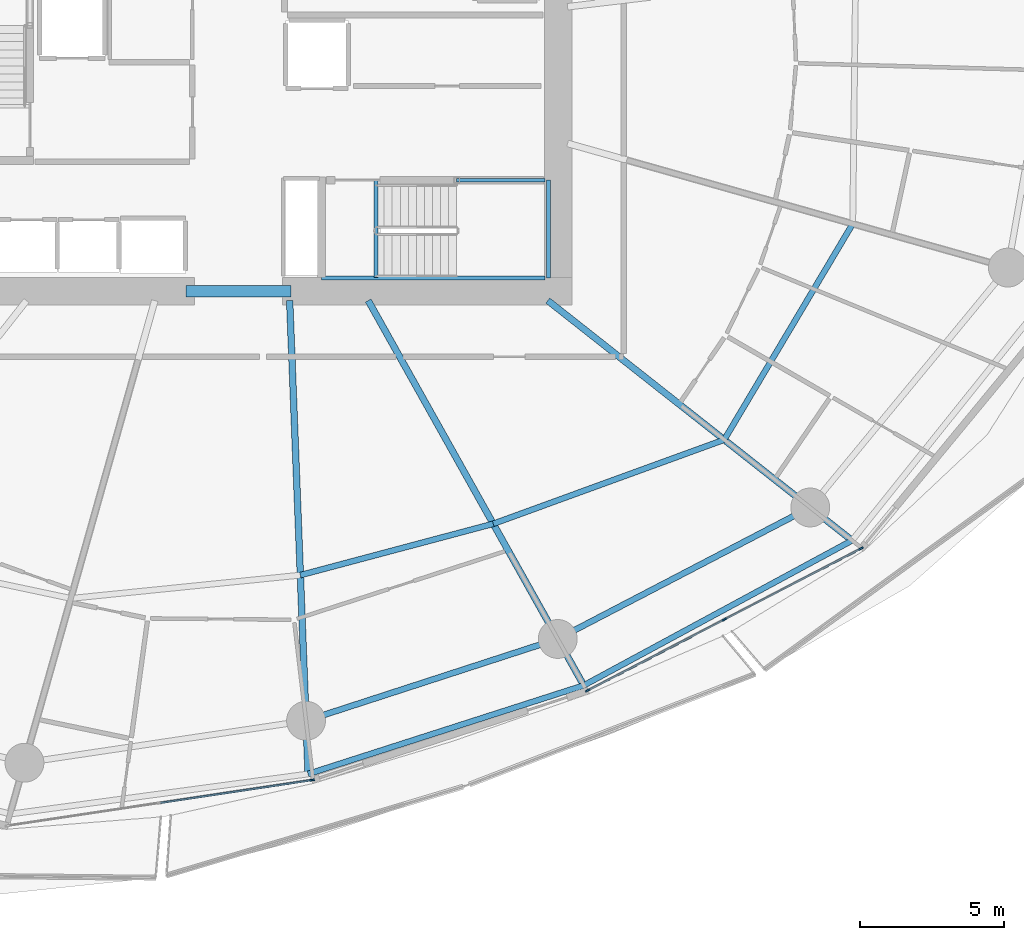
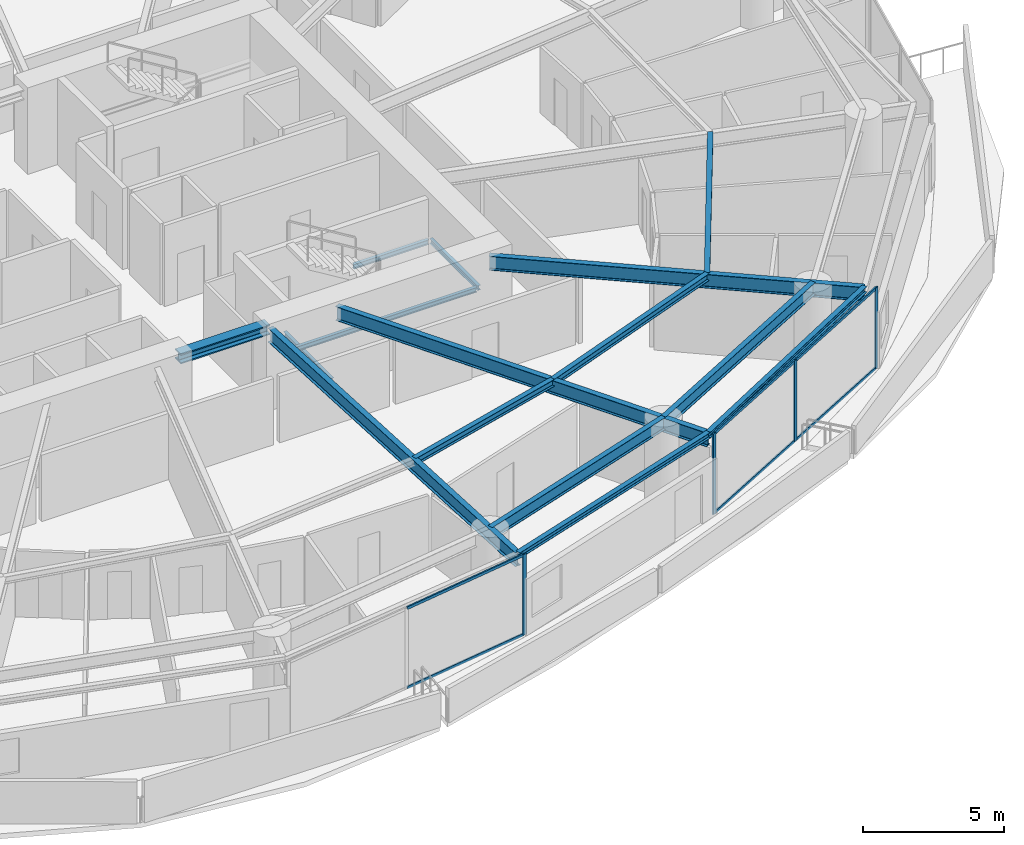
# One storey, part 10 of 30: 15 beams, 10 members, 2 elements without a shape of their own.
"""IFC4 building model written with IfcOpenShell, lengths in metres."""

import ifcopenshell
import ifcopenshell.guid

model = None  # the IFC model being written
_history = None  # IfcOwnerHistory: only IFC2X3 demands one
_inside = {}  # id of a spatial element -> (the spatial element, [elements in it])
_under = {}  # id of a project, library or spatial element -> (it, [spatial elements below it])
_declared = {}  # id of a project -> (the project, [libraries it declares])
_typed = {}  # id of a type object -> (the type object, [elements of that type])
_made_of = {}  # id of a material, layer set ... -> (it, [elements and type objects made of it])


def new_model(schema):
    """Start an empty IFC model of exactly this schema.

    Asked for "IFC4X3", IfcOpenShell would pick the latest addendum, in which some entities
    have other attributes; the version numbers below select the first issue.
    IFC2X3 requires an IfcOwnerHistory on every rooted entity: one is made here for all.
    """
    global model, _history
    if schema == "IFC4X3":
        model = ifcopenshell.file(schema_version=(4, 3, 0, 0))
    else:
        model = ifcopenshell.file(schema=schema)
    _inside.clear()
    _under.clear()
    _declared.clear()
    _typed.clear()
    _made_of.clear()
    _history = None
    if model.schema == "IFC2X3":
        org = make("IfcOrganization", Name="unknown")
        user = make(
            "IfcPersonAndOrganization",
            ThePerson=make("IfcPerson", FamilyName="unknown"),
            TheOrganization=org,
        )
        app = make(
            "IfcApplication",
            ApplicationDeveloper=org,
            Version="unknown",
            ApplicationFullName="unknown",
            ApplicationIdentifier="unknown",
        )
        _history = make(
            "IfcOwnerHistory",
            OwningUser=user,
            OwningApplication=app,
            ChangeAction="ADDED",
            CreationDate=0,
        )
    return model


def make(cls, **values):
    """One entity of the class cls with the attributes given. An attribute that is None is left unset."""
    return model.create_entity(
        cls, **{name: value for name, value in values.items() if value is not None}
    )


def rooted(cls, **values):
    """An entity with a GlobalId (a new one), such as an element, a storey or a relation."""
    return make(cls, GlobalId=ifcopenshell.guid.new(), OwnerHistory=_history, **values)


def si_unit(unit_type, name, prefix=None):
    """IfcSIUnit, for example si_unit("LENGTHUNIT", "METRE", prefix="MILLI")."""
    return make("IfcSIUnit", UnitType=unit_type, Prefix=prefix, Name=name)


def assignment(units):
    """IfcUnitAssignment: the units of a project."""
    return None if units is None else make("IfcUnitAssignment", Units=units)


def point(xyz):
    """IfcCartesianPoint."""
    return None if xyz is None else make("IfcCartesianPoint", Coordinates=xyz)


def direction(xyz):
    """IfcDirection."""
    return None if xyz is None else make("IfcDirection", DirectionRatios=xyz)


def frame(location, z_axis=None, x_axis=None):
    """IfcAxis2Placement3D, a coordinate frame: its origin and axes. An axis left out is left unset."""
    return make(
        "IfcAxis2Placement3D",
        Location=point(location),
        Axis=direction(z_axis),
        RefDirection=direction(x_axis),
    )


def frame_2d(location, x_axis=None):
    """IfcAxis2Placement2D, a coordinate frame in the plane: its origin and x axis."""
    return make(
        "IfcAxis2Placement2D", Location=point(location), RefDirection=direction(x_axis)
    )


def origin():
    """The frame at (0, 0, 0) with its axes left unset."""
    return frame((0.0, 0.0, 0.0))


def origin_2d():
    """The frame at (0, 0) in the plane with its x axis left unset."""
    return frame_2d((0.0, 0.0))


def place(relative_to, where):
    """IfcLocalPlacement: puts the frame where relative to a parent placement (None: the world)."""
    return make(
        "IfcLocalPlacement", PlacementRelTo=relative_to, RelativePlacement=where
    )


def context(
    kind, dimensions, precision=None, world=None, true_north=None, identifier=None
):
    """IfcGeometricRepresentationContext, for example the 3D "Model" context."""
    return make(
        "IfcGeometricRepresentationContext",
        ContextIdentifier=identifier,
        ContextType=kind,
        CoordinateSpaceDimension=dimensions,
        Precision=precision,
        WorldCoordinateSystem=world,
        TrueNorth=true_north,
    )


def subcontext(parent, identifier, kind, view, scale=None):
    """IfcGeometricRepresentationSubContext, for example "Body" below "Model"."""
    return make(
        "IfcGeometricRepresentationSubContext",
        ContextIdentifier=identifier,
        ContextType=kind,
        ParentContext=parent,
        TargetScale=scale,
        TargetView=view,
    )


def project(units=None, contexts=None):
    """IfcProject with its units and contexts."""
    return rooted(
        "IfcProject",
        Name="project",
        RepresentationContexts=contexts,
        UnitsInContext=assignment(units),
    )


def spatial(cls, under=None, at=None, **own):
    """A site, building, storey or space (cls), placed at a placement, below another one or the project."""
    s = rooted(cls, ObjectPlacement=at, **own)
    if under is not None:
        _under.setdefault(under.id(), (under, []))[1].append(s)
    return s


def profile(cls, at=None, kind="AREA", **sizes):
    """A parametric profile (cls). Its sizes go by their IFC names, for example OverallWidth=200.0."""
    return make(cls, ProfileType=kind, Position=at, **sizes)


def rectangle(**sizes):
    """IfcRectangleProfileDef."""
    return profile("IfcRectangleProfileDef", **sizes)


def i_section(**sizes):
    """IfcIShapeProfileDef."""
    return profile("IfcIShapeProfileDef", **sizes)


def extrude(swept, where, along, depth):
    """IfcExtrudedAreaSolid: the profile swept, set in the frame where, extruded along a direction by depth."""
    return make(
        "IfcExtrudedAreaSolid",
        SweptArea=swept,
        Position=where,
        ExtrudedDirection=direction(along),
        Depth=depth,
    )


def shape(context_of_items, identifier, shape_type, items):
    """IfcShapeRepresentation: the items that make up one representation, for example the "Body"."""
    return make(
        "IfcShapeRepresentation",
        ContextOfItems=context_of_items,
        RepresentationIdentifier=identifier,
        RepresentationType=shape_type,
        Items=items,
    )


def material(Name=None, Category=None):
    """IfcMaterial."""
    return make("IfcMaterial", Name=Name, Category=Category)


def layer(
    of_material, thickness, ventilated=None, Name=None, Category=None, Priority=None
):
    """IfcMaterialLayer: one layer of a wall or slab, of a material (None: an air gap)."""
    return make(
        "IfcMaterialLayer",
        Material=of_material,
        LayerThickness=thickness,
        IsVentilated=ventilated,
        Name=Name,
        Category=Category,
        Priority=Priority,
    )


def layer_set(layers, Name=None):
    """IfcMaterialLayerSet."""
    return make("IfcMaterialLayerSet", MaterialLayers=layers, LayerSetName=Name)


def material_profile(
    of_material, cross_section, Name=None, Category=None, Priority=None
):
    """IfcMaterialProfile: a cross section and its material."""
    return make(
        "IfcMaterialProfile",
        Name=Name,
        Material=of_material,
        Profile=cross_section,
        Priority=Priority,
        Category=Category,
    )


def profile_set(profiles, Name=None, composite=None):
    """IfcMaterialProfileSet."""
    return make(
        "IfcMaterialProfileSet",
        Name=Name,
        MaterialProfiles=profiles,
        CompositeProfile=composite,
    )


def made_of(thing, what):
    """Note that an element or type object is made of a material, layer set ...; save() writes the relation."""
    if what is not None:
        _made_of.setdefault(what.id(), (what, []))[1].append(thing)
    return thing


def type_object(cls, material=None, **own):
    """A type object (cls), such as IfcWallType, which elements share."""
    return made_of(rooted(cls, **own), material)


def element(
    cls,
    number,
    at=None,
    inside=None,
    cuts=None,
    type_object=None,
    material=None,
    context=None,
    identifier="Body",
    shape_type=None,
    held_by="IfcProductDefinitionShape",
    body=None,
    shapes=None,
    **own,
):
    """One element of the class cls, such as IfcWall. Its Tag is "e" and its number.

    at: its placement. inside: the storey or other place that contains it. cuts: it is an
    opening in that element (IfcRelVoidsElement). A single representation is given by context,
    identifier, shape_type and body (its items); several are given by shapes. held_by: the class
    of the entity that holds the representations. save() writes the other relations.
    """
    e = rooted(cls, Tag="e%d" % number, ObjectPlacement=at, **own)
    if body is not None:
        shapes = [shape(context, identifier, shape_type, body)]
    if shapes is not None:
        e.Representation = make(held_by, Representations=shapes)
    if inside is not None:
        _inside.setdefault(inside.id(), (inside, []))[1].append(e)
    if cuts is not None:
        rooted(
            "IfcRelVoidsElement", RelatingBuildingElement=cuts, RelatedOpeningElement=e
        )
    if type_object is not None:
        _typed.setdefault(type_object.id(), (type_object, []))[1].append(e)
    return made_of(e, material)


def aggregate(whole, parts):
    """IfcRelAggregates: a whole, such as a stair, and the parts it consists of."""
    return rooted("IfcRelAggregates", RelatingObject=whole, RelatedObjects=parts)


def save(model, path):
    """Write the relations noted so far, then the file.

    IfcRelAggregates (storeys below a building ...), IfcRelContainedInSpatialStructure (elements
    in a storey), IfcRelDefinesByType, IfcRelAssociatesMaterial and IfcRelDeclares: one each for
    every whole, place, type object, material and project.
    """
    for whole, parts in _under.values():
        aggregate(whole, parts)
    for where, things in _inside.values():
        rooted(
            "IfcRelContainedInSpatialStructure",
            RelatedElements=things,
            RelatingStructure=where,
        )
    for kind, things in _typed.values():
        rooted("IfcRelDefinesByType", RelatedObjects=things, RelatingType=kind)
    for what, things in _made_of.values():
        rooted("IfcRelAssociatesMaterial", RelatedObjects=things, RelatingMaterial=what)
    for by, libraries in _declared.values():
        rooted("IfcRelDeclares", RelatingContext=by, RelatedDefinitions=libraries)
    model.write(path)


model = new_model("IFC4")

# Units and contexts
model_context = context("Model", 3, precision=1e-05, world=origin(), true_north=direction((0.0, 1.0)))
body_context = subcontext(model_context, "Body", "Model", "MODEL_VIEW")
ifc_project = project(units=[si_unit("LENGTHUNIT", "METRE"), si_unit("AREAUNIT", "SQUARE_METRE"), si_unit("VOLUMEUNIT", "CUBIC_METRE"), si_unit("PLANEANGLEUNIT", "RADIAN"), si_unit("MASSUNIT", "GRAM", prefix="KILO")], contexts=[model_context])

# Site, building, storey
site_placement = place(None, origin())
site = spatial("IfcSite", under=ifc_project, at=site_placement, CompositionType="ELEMENT")
building_placement = place(site_placement, origin())
building = spatial("IfcBuilding", under=site, at=building_placement, Name="Kazma Halo Residences", CompositionType="ELEMENT")
storey_placement = place(building_placement, frame((0.0, 0.0, 56.39990234375)))
storey = spatial("IfcBuildingStorey", under=building, at=storey_placement, Name="L13", CompositionType="ELEMENT", Elevation=56.39990234375)

# Beams
ifc_material_1 = material(Name="Steel S355", Category="steel")
ifc_material_profile_1 = material_profile(ifc_material_1, i_section(OverallWidth=0.201904296875, OverallDepth=0.2470703125, WebThickness=0.00732421875, FlangeThickness=0.010986328125, FilletRadius=0.011962890625, at=origin_2d()), Name="W250x49.1")
ifc_profile_set_1 = profile_set([ifc_material_profile_1], Name="Steel S355")
beam_type_1 = type_object("IfcBeamType", Name="BM-BAL-CANT", PredefinedType="BEAM", material=ifc_profile_set_1)
beam_1_placement = place(storey_placement, frame((50.84033203125, 16.761962890625, 3.376708984375), z_axis=(0.952101049535, 0.305783569662, 0.0), x_axis=(-0.305783569662, 0.952101049535, 0.0)))
element("IfcBeam", 1, at=beam_1_placement, inside=storey, type_object=beam_type_1, Name="L13 wave-balcony tie beam 12", PredefinedType="BEAM", context=body_context, shape_type="SweptSolid", body=[
    extrude(i_section(OverallWidth=0.201904296875, OverallDepth=0.2470703125, WebThickness=0.00732421875, FlangeThickness=0.010986328125, FilletRadius=0.011962890625, at=origin_2d()), origin(), (0.0, 0.0, 1.0), 10.053466796875),
])
beam_2_placement = place(storey_placement, frame((60.412353515625, 19.836181640625, 3.376708984375), z_axis=(0.879759421466, 0.47541914175, 0.0), x_axis=(-0.47541914175, 0.879759421466, 0.0)))
element("IfcBeam", 2, at=beam_2_placement, inside=storey, type_object=beam_type_1, Name="L13 wave-balcony tie beam 13", PredefinedType="BEAM", context=body_context, shape_type="SweptSolid", body=[
    extrude(i_section(OverallWidth=0.201904296875, OverallDepth=0.2470703125, WebThickness=0.00732421875, FlangeThickness=0.010986328125, FilletRadius=0.011962890625, at=origin_2d()), origin(), (0.0, 0.0, 1.0), 10.58935546875),
])
ifc_material_profile_2 = material_profile(ifc_material_1, i_section(OverallWidth=0.408935546875, OverallDepth=0.425048828125, WebThickness=0.03271484375, FlangeThickness=0.052490234375, FilletRadius=0.02001953125, at=origin_2d()), Name="W360x421")
ifc_profile_set_2 = profile_set([ifc_material_profile_2], Name="Steel S355")
beam_type_2 = type_object("IfcBeamType", Name="BM-CORE-W360H", PredefinedType="BEAM", material=ifc_profile_set_2)
beam_3_placement = place(storey_placement, frame((46.60009765625, 33.52490234375, 3.28759765625), z_axis=(1.0, 0.0, 0.0), x_axis=(0.0, 1.0, 0.0)))
element("IfcBeam", 3, at=beam_3_placement, inside=storey, type_object=beam_type_2, Name="L13 core coupling beam S", PredefinedType="BEAM", context=body_context, shape_type="SweptSolid", body=[
    extrude(i_section(OverallWidth=0.408935546875, OverallDepth=0.425048828125, WebThickness=0.03271484375, FlangeThickness=0.052490234375, FilletRadius=0.02001953125, at=origin_2d()), origin(), (0.0, 0.0, 1.0), 3.64990234375),
])
ifc_material_profile_3 = material_profile(ifc_material_1, i_section(OverallWidth=0.22802734375, OverallDepth=0.60791015625, WebThickness=0.01123046875, FlangeThickness=0.017333984375, FilletRadius=0.01806640625, at=origin_2d()), Name="W610x113")
ifc_profile_set_3 = profile_set([ifc_material_profile_3], Name="Steel S355")
beam_type_3 = type_object("IfcBeamType", Name="BM-RAD-W610", PredefinedType="BEAM", material=ifc_profile_set_3)
beam_4_placement = place(storey_placement, frame((50.199951171875, 33.199951171875, 3.196044921875), z_axis=(0.038927845379, -0.999242024163, 0.0), x_axis=(0.999242024163, 0.038927845379, 0.0)))
element("IfcBeam", 4, at=beam_4_placement, inside=storey, type_object=beam_type_3, Name="L13 radial floor beam 12", PredefinedType="BEAM", context=body_context, shape_type="SweptSolid", body=[
    extrude(i_section(OverallWidth=0.22802734375, OverallDepth=0.60791015625, WebThickness=0.01123046875, FlangeThickness=0.017333984375, FilletRadius=0.01806640625, at=origin_2d()), origin(), (0.0, 0.0, 1.0), 16.450439453125),
])
beam_5_placement = place(storey_placement, frame((52.92822265625, 33.199951171875, 3.196044921875), z_axis=(0.488624239587, -0.872494328055, 0.0), x_axis=(0.872494328055, 0.488624239587, 0.0)))
element("IfcBeam", 5, at=beam_5_placement, inside=storey, type_object=beam_type_3, Name="L13 radial floor beam 13", PredefinedType="BEAM", context=body_context, shape_type="SweptSolid", body=[
    extrude(i_section(OverallWidth=0.22802734375, OverallDepth=0.60791015625, WebThickness=0.01123046875, FlangeThickness=0.017333984375, FilletRadius=0.01806640625, at=origin_2d()), origin(), (0.0, 0.0, 1.0), 15.316650390625),
])
beam_6_placement = place(storey_placement, frame((59.16259765625, 33.199951171875, 3.196044921875), z_axis=(0.785322437877, -0.619086963655, 0.0), x_axis=(0.619086963655, 0.785322437877, 0.0)))
element("IfcBeam", 6, at=beam_6_placement, inside=storey, type_object=beam_type_3, Name="L13 radial floor beam 14", PredefinedType="BEAM", context=body_context, shape_type="SweptSolid", body=[
    extrude(i_section(OverallWidth=0.22802734375, OverallDepth=0.60791015625, WebThickness=0.01123046875, FlangeThickness=0.017333984375, FilletRadius=0.01806640625, at=origin_2d()), origin(), (0.0, 0.0, 1.0), 13.454345703125),
])
ifc_material_profile_4 = material_profile(ifc_material_1, i_section(OverallWidth=0.202880859375, OverallDepth=0.302978515625, WebThickness=0.007568359375, FlangeThickness=0.01318359375, FilletRadius=0.013916015625, at=origin_2d()), Name="W310x60")
ifc_profile_set_4 = profile_set([ifc_material_profile_4], Name="Steel S355")
beam_type_4 = type_object("IfcBeamType", Name="BM-SEC-W310A", PredefinedType="JOIST", material=ifc_profile_set_4)
beam_7_placement = place(storey_placement, frame((50.5712890625, 23.666015625, 3.3486328125), z_axis=(0.966337757832, 0.257276772735, 0.0), x_axis=(-0.257276772735, 0.966337757832, 0.0)))
element("IfcBeam", 7, at=beam_7_placement, inside=storey, type_object=beam_type_4, Name="L13 circumferential floor joist 12", PredefinedType="JOIST", context=body_context, shape_type="SweptSolid", body=[
    extrude(i_section(OverallWidth=0.202880859375, OverallDepth=0.302978515625, WebThickness=0.007568359375, FlangeThickness=0.01318359375, FilletRadius=0.013916015625, at=origin_2d()), origin(), (0.0, 0.0, 1.0), 6.93115234375),
])
beam_8_placement = place(storey_placement, frame((57.26904296875, 25.44921875, 3.3486328125), z_axis=(0.939695690299, 0.34201170979, 0.0), x_axis=(-0.34201170979, 0.939695690299, 0.0)))
element("IfcBeam", 8, at=beam_8_placement, inside=storey, type_object=beam_type_4, Name="L13 circumferential floor joist 13", PredefinedType="JOIST", context=body_context, shape_type="SweptSolid", body=[
    extrude(i_section(OverallWidth=0.202880859375, OverallDepth=0.302978515625, WebThickness=0.007568359375, FlangeThickness=0.01318359375, FilletRadius=0.013916015625, at=origin_2d()), origin(), (0.0, 0.0, 1.0), 8.536865234375),
])
beam_9_placement = place(storey_placement, frame((65.291015625, 28.368896484375, 3.3486328125), z_axis=(0.511331320511, 0.859383663252, 0.0), x_axis=(-0.859383663252, 0.511331320511, 0.0)))
element("IfcBeam", 9, at=beam_9_placement, inside=storey, type_object=beam_type_4, Name="L13 circumferential floor joist 14", PredefinedType="JOIST", context=body_context, shape_type="SweptSolid", body=[
    extrude(i_section(OverallWidth=0.202880859375, OverallDepth=0.302978515625, WebThickness=0.007568359375, FlangeThickness=0.01318359375, FilletRadius=0.013916015625, at=origin_2d()), origin(), (0.0, 0.0, 1.0), 8.72314453125),
])
ifc_material_profile_5 = material_profile(ifc_material_1, i_section(OverallWidth=0.208984375, OverallDepth=0.532958984375, WebThickness=0.01025390625, FlangeThickness=0.015625, FilletRadius=0.01611328125, at=origin_2d()), Name="W530x92")
ifc_profile_set_5 = profile_set([ifc_material_profile_5], Name="Steel S355")
beam_type_5 = type_object("IfcBeamType", Name="BM-SPN-W530", PredefinedType="BEAM", material=ifc_profile_set_5)
beam_10_placement = place(storey_placement, frame((50.768310546875, 18.610595703125, 3.233642578125), z_axis=(0.951054956346, 0.309021795363, 0.0), x_axis=(-0.309021795363, 0.951054956346, 0.0)))
element("IfcBeam", 10, at=beam_10_placement, inside=storey, type_object=beam_type_5, Name="L13 perimeter ring beam 12", PredefinedType="BEAM", context=body_context, shape_type="SweptSolid", body=[
    extrude(i_section(OverallWidth=0.208984375, OverallDepth=0.532958984375, WebThickness=0.01025390625, FlangeThickness=0.015625, FilletRadius=0.01611328125, at=origin_2d()), origin(), (0.0, 0.0, 1.0), 9.189697265625),
])
beam_11_placement = place(storey_placement, frame((59.50830078125, 21.450439453125, 3.233642578125), z_axis=(0.886956241699, 0.461853467358, 0.0), x_axis=(-0.461853467358, 0.886956241699, 0.0)))
element("IfcBeam", 11, at=beam_11_placement, inside=storey, type_object=beam_type_5, Name="L13 perimeter ring beam 13", PredefinedType="BEAM", context=body_context, shape_type="SweptSolid", body=[
    extrude(i_section(OverallWidth=0.208984375, OverallDepth=0.532958984375, WebThickness=0.01025390625, FlangeThickness=0.015625, FilletRadius=0.01611328125, at=origin_2d()), origin(), (0.0, 0.0, 1.0), 9.885009765625),
])
ifc_material_profile_6 = material_profile(ifc_material_1, i_section(OverallWidth=0.133056640625, OverallDepth=0.20703125, WebThickness=0.005859375, FlangeThickness=0.00830078125, FilletRadius=0.010009765625, at=origin_2d()), Name="W200x26.6")
ifc_profile_set_6 = profile_set([ifc_material_profile_6], Name="Steel S355")
beam_type_6 = type_object("IfcBeamType", Name="BM-TRIM-W200", PredefinedType="BEAM", material=ifc_profile_set_6)
beam_12_placement = place(storey_placement, frame((53.199951171875, 34.0, -0.35986328125), z_axis=(0.0, 1.0, 0.0), x_axis=(-1.0, 0.0, 0.0)))
element("IfcBeam", 12, at=beam_12_placement, inside=storey, type_object=beam_type_6, Name="L13 ST-03 floor landing support beam", PredefinedType="BEAM", context=body_context, shape_type="SweptSolid", body=[
    extrude(i_section(OverallWidth=0.133056640625, OverallDepth=0.20703125, WebThickness=0.005859375, FlangeThickness=0.00830078125, FilletRadius=0.010009765625, at=origin_2d()), origin(), (0.0, 0.0, 1.0), 3.3798828125),
])
beam_13_placement = place(storey_placement, frame((51.31005859375, 33.97998046875, 1.570068359375), z_axis=(1.0, 0.0, 0.0), x_axis=(0.0, 1.0, 0.0)))
element("IfcBeam", 13, at=beam_13_placement, inside=storey, type_object=beam_type_6, Name="L13 ST-03 landing south wall ledger", PredefinedType="BEAM", context=body_context, shape_type="SweptSolid", body=[
    extrude(i_section(OverallWidth=0.133056640625, OverallDepth=0.20703125, WebThickness=0.005859375, FlangeThickness=0.00830078125, FilletRadius=0.010009765625, at=origin_2d()), origin(), (0.0, 0.0, 1.0), 7.760009765625),
])
beam_14_placement = place(storey_placement, frame((56.0, 37.3798828125, 1.570068359375), z_axis=(1.0, 0.0, 0.0), x_axis=(0.0, 1.0, 0.0)))
element("IfcBeam", 14, at=beam_14_placement, inside=storey, type_object=beam_type_6, Name="L13 ST-03 landing north wall ledger", PredefinedType="BEAM", context=body_context, shape_type="SweptSolid", body=[
    extrude(i_section(OverallWidth=0.133056640625, OverallDepth=0.20703125, WebThickness=0.005859375, FlangeThickness=0.00830078125, FilletRadius=0.010009765625, at=origin_2d()), origin(), (0.0, 0.0, 1.0), 3.070068359375),
])
beam_15_placement = place(storey_placement, frame((59.18994140625, 33.97998046875, 1.570068359375), z_axis=(0.0, 1.0, 0.0), x_axis=(-1.0, 0.0, 0.0)))
element("IfcBeam", 15, at=beam_15_placement, inside=storey, type_object=beam_type_6, Name="L13 ST-03 landing end wall ledger", PredefinedType="BEAM", context=body_context, shape_type="SweptSolid", body=[
    extrude(i_section(OverallWidth=0.133056640625, OverallDepth=0.20703125, WebThickness=0.005859375, FlangeThickness=0.00830078125, FilletRadius=0.010009765625, at=origin_2d()), origin(), (0.0, 0.0, 1.0), 3.39990234375),
])

# Curtain wall, member
ifc_material_2 = material(Name="Aluminium AW-6063 T6 and Triple-Silver Low-E Glass", Category="aluminium")
ifc_layer = layer(ifc_material_2, 0.159912109375)
ifc_layer_set = layer_set([ifc_layer], Name="Aluminium AW-6063 T6 and Triple-Silver Low-E Glass")
curtain_wall_type = type_object("IfcCurtainWallType", Name="CW-SYS-2", PredefinedType="NOTDEFINED", material=ifc_layer_set)
curtain_wall_1_placement = place(storey_placement, origin())
curtain_wall_1 = element("IfcCurtainWall", 16, at=curtain_wall_1_placement, inside=storey, type_object=curtain_wall_type, Name="L13 unitised curtain wall B11", PredefinedType="NOTDEFINED")
ifc_material_3 = material(Name="Aluminium AW-6063 T6", Category="aluminium")
ifc_material_profile_7 = material_profile(ifc_material_3, rectangle(XDim=0.06005859375, YDim=0.159912109375, at=origin_2d()), Name="CWM-60x160")
ifc_profile_set_7 = profile_set([ifc_material_profile_7], Name="Aluminium AW-6063 T6")
member_type_1 = type_object("IfcMemberType", Name="CW-SYS-2-MUL", PredefinedType="MULLION", material=ifc_profile_set_7)
member_1_placement = place(storey_placement, frame((50.981689453125, 16.552490234375, 0.0), z_axis=(0.0, 0.0, 1.0), x_axis=(-0.148657272805, 0.988888777994, 0.0)))
member_1 = element("IfcMember", 17, at=member_1_placement, type_object=member_type_1, Name="CWS-2 mullion 3", PredefinedType="MULLION", context=body_context, shape_type="SweptSolid", body=[
    extrude(rectangle(XDim=0.06005859375, YDim=0.159912109375, at=origin_2d()), origin(), (0.0, 0.0, 1.0), 3.5),
])

# Curtain wall, members
curtain_wall_2_placement = place(storey_placement, origin())
curtain_wall_2 = element("IfcCurtainWall", 18, at=curtain_wall_2_placement, inside=storey, type_object=curtain_wall_type, Name="L13 unitised curtain wall B13", PredefinedType="NOTDEFINED")
member_2_placement = place(storey_placement, frame((60.54541015625, 19.659912109375, 0.0), z_axis=(0.0, 0.0, 1.0), x_axis=(-0.460995912628, 0.887402258584, 0.0)))
member_2 = element("IfcMember", 19, at=member_2_placement, type_object=member_type_1, Name="CWS-2 mullion 1", PredefinedType="MULLION", context=body_context, shape_type="SweptSolid", body=[
    extrude(rectangle(XDim=0.06005859375, YDim=0.159912109375, at=origin_2d()), origin(), (0.0, 0.0, 1.0), 3.5),
])
member_3_placement = place(storey_placement, frame((65.2919921875, 22.125732421875, 0.0), z_axis=(0.0, 0.0, 1.0), x_axis=(-0.460995912628, 0.887402258584, 0.0)))
member_3 = element("IfcMember", 20, at=member_3_placement, type_object=member_type_1, Name="CWS-2 mullion 2", PredefinedType="MULLION", context=body_context, shape_type="SweptSolid", body=[
    extrude(rectangle(XDim=0.06005859375, YDim=0.159912109375, at=origin_2d()), origin(), (0.0, 0.0, 1.0), 3.5),
])
member_4_placement = place(storey_placement, frame((70.03857421875, 24.591552734375, 0.0), z_axis=(0.0, 0.0, 1.0), x_axis=(-0.460995912628, 0.887402258584, 0.0)))
member_4 = element("IfcMember", 21, at=member_4_placement, type_object=member_type_1, Name="CWS-2 mullion 3", PredefinedType="MULLION", context=body_context, shape_type="SweptSolid", body=[
    extrude(rectangle(XDim=0.06005859375, YDim=0.159912109375, at=origin_2d()), origin(), (0.0, 0.0, 1.0), 3.5),
])

# Member
ifc_material_profile_8 = material_profile(ifc_material_3, rectangle(XDim=0.06005859375, YDim=0.1201171875, at=origin_2d()), Name="CWT-60x120")
ifc_profile_set_8 = profile_set([ifc_material_profile_8], Name="Aluminium AW-6063 T6")
member_type_2 = type_object("IfcMemberType", Name="CW-SYS-2-TRN", PredefinedType="USERDEFINED", material=ifc_profile_set_8)
member_5_placement = place(storey_placement, frame((45.721923828125, 15.761962890625, 0.030029296875), z_axis=(0.98889195415, 0.148636143041, 0.0), x_axis=(-0.148636143041, 0.98889195415, 0.0)))
member_5 = element("IfcMember", 22, at=member_5_placement, type_object=member_type_2, Name="CWS-2 transom 2.1", ObjectType="TRANSOM", PredefinedType="USERDEFINED", context=body_context, shape_type="SweptSolid", body=[
    extrude(rectangle(XDim=0.06005859375, YDim=0.1201171875, at=origin_2d()), origin(), (0.0, 0.0, 1.0), 5.2890625),
])

member_6_placement = place(storey_placement, frame((45.721923828125, 15.761962890625, 3.47021484375), z_axis=(0.98889195415, 0.148636143041, 0.0), x_axis=(-0.148636143041, 0.98889195415, 0.0)))
member_6 = element("IfcMember", 23, at=member_6_placement, type_object=member_type_2, Name="CWS-2 transom 2.2", ObjectType="TRANSOM", PredefinedType="USERDEFINED", context=body_context, shape_type="SweptSolid", body=[
    extrude(rectangle(XDim=0.06005859375, YDim=0.1201171875, at=origin_2d()), origin(), (0.0, 0.0, 1.0), 5.2890625),
])

aggregate(curtain_wall_1, [member_1, member_5, member_6])

member_7_placement = place(storey_placement, frame((60.572021484375, 19.673828125, 0.030029296875), z_axis=(0.887414738583, 0.460971888238, 0.0), x_axis=(-0.460971888238, 0.887414738583, 0.0)))
member_7 = element("IfcMember", 24, at=member_7_placement, type_object=member_type_2, Name="CWS-2 transom 1.1", ObjectType="TRANSOM", PredefinedType="USERDEFINED", context=body_context, shape_type="SweptSolid", body=[
    extrude(rectangle(XDim=0.06005859375, YDim=0.1201171875, at=origin_2d()), origin(), (0.0, 0.0, 1.0), 5.288818359375),
])

member_8_placement = place(storey_placement, frame((60.572021484375, 19.673828125, 3.47021484375), z_axis=(0.887414738583, 0.460971888238, 0.0), x_axis=(-0.460971888238, 0.887414738583, 0.0)))
member_8 = element("IfcMember", 25, at=member_8_placement, type_object=member_type_2, Name="CWS-2 transom 1.2", ObjectType="TRANSOM", PredefinedType="USERDEFINED", context=body_context, shape_type="SweptSolid", body=[
    extrude(rectangle(XDim=0.06005859375, YDim=0.1201171875, at=origin_2d()), origin(), (0.0, 0.0, 1.0), 5.288818359375),
])

member_9_placement = place(storey_placement, frame((65.318603515625, 22.1396484375, 0.030029296875), z_axis=(0.887414738583, 0.460971888238, 0.0), x_axis=(-0.460971888238, 0.887414738583, 0.0)))
member_9 = element("IfcMember", 26, at=member_9_placement, type_object=member_type_2, Name="CWS-2 transom 2.1", ObjectType="TRANSOM", PredefinedType="USERDEFINED", context=body_context, shape_type="SweptSolid", body=[
    extrude(rectangle(XDim=0.06005859375, YDim=0.1201171875, at=origin_2d()), origin(), (0.0, 0.0, 1.0), 5.288818359375),
])

member_10_placement = place(storey_placement, frame((65.318603515625, 22.1396484375, 3.47021484375), z_axis=(0.887414738583, 0.460971888238, 0.0), x_axis=(-0.460971888238, 0.887414738583, 0.0)))
member_10 = element("IfcMember", 27, at=member_10_placement, type_object=member_type_2, Name="CWS-2 transom 2.2", ObjectType="TRANSOM", PredefinedType="USERDEFINED", context=body_context, shape_type="SweptSolid", body=[
    extrude(rectangle(XDim=0.06005859375, YDim=0.1201171875, at=origin_2d()), origin(), (0.0, 0.0, 1.0), 5.288818359375),
])

aggregate(curtain_wall_2, [member_2, member_3, member_4, member_7, member_8, member_9, member_10])

save(model, "model.ifc")
